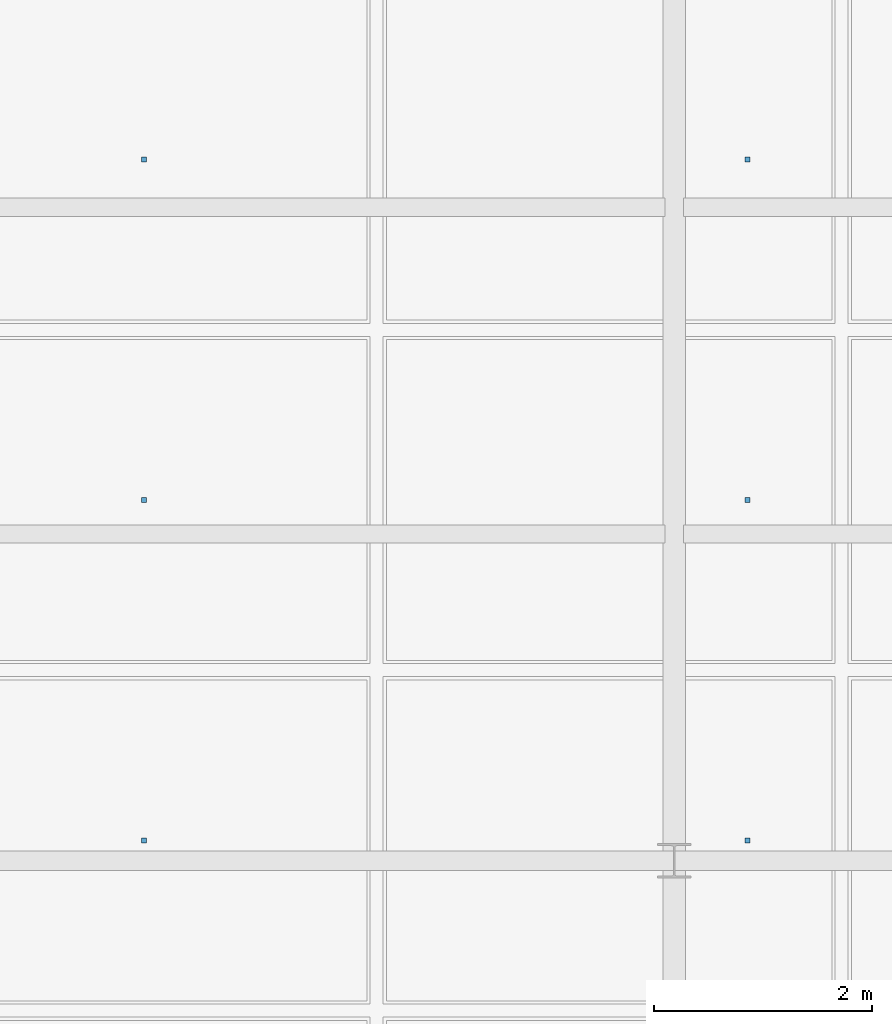
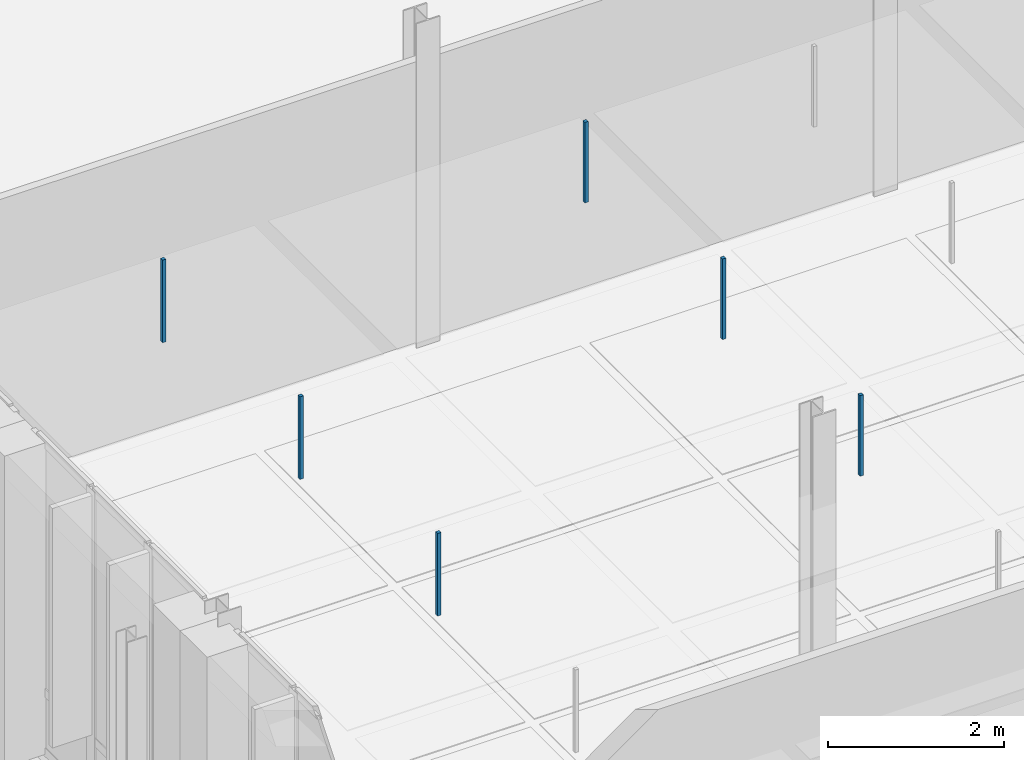
# One storey, part 91 of 130: 6 discrete accessories.
"""IFC4 building model written with IfcOpenShell, lengths in metres."""

import ifcopenshell
import ifcopenshell.guid

model = None  # the IFC model being written
_history = None  # IfcOwnerHistory: only IFC2X3 demands one
_inside = {}  # id of a spatial element -> (the spatial element, [elements in it])
_under = {}  # id of a project, library or spatial element -> (it, [spatial elements below it])
_declared = {}  # id of a project -> (the project, [libraries it declares])
_typed = {}  # id of a type object -> (the type object, [elements of that type])
_made_of = {}  # id of a material, layer set ... -> (it, [elements and type objects made of it])


def new_model(schema):
    """Start an empty IFC model of exactly this schema.

    Asked for "IFC4X3", IfcOpenShell would pick the latest addendum, in which some entities
    have other attributes; the version numbers below select the first issue.
    IFC2X3 requires an IfcOwnerHistory on every rooted entity: one is made here for all.
    """
    global model, _history
    if schema == "IFC4X3":
        model = ifcopenshell.file(schema_version=(4, 3, 0, 0))
    else:
        model = ifcopenshell.file(schema=schema)
    _inside.clear()
    _under.clear()
    _declared.clear()
    _typed.clear()
    _made_of.clear()
    _history = None
    if model.schema == "IFC2X3":
        org = make("IfcOrganization", Name="unknown")
        user = make(
            "IfcPersonAndOrganization",
            ThePerson=make("IfcPerson", FamilyName="unknown"),
            TheOrganization=org,
        )
        app = make(
            "IfcApplication",
            ApplicationDeveloper=org,
            Version="unknown",
            ApplicationFullName="unknown",
            ApplicationIdentifier="unknown",
        )
        _history = make(
            "IfcOwnerHistory",
            OwningUser=user,
            OwningApplication=app,
            ChangeAction="ADDED",
            CreationDate=0,
        )
    return model


def make(cls, **values):
    """One entity of the class cls with the attributes given. An attribute that is None is left unset."""
    return model.create_entity(
        cls, **{name: value for name, value in values.items() if value is not None}
    )


def rooted(cls, **values):
    """An entity with a GlobalId (a new one), such as an element, a storey or a relation."""
    return make(cls, GlobalId=ifcopenshell.guid.new(), OwnerHistory=_history, **values)


def si_unit(unit_type, name, prefix=None):
    """IfcSIUnit, for example si_unit("LENGTHUNIT", "METRE", prefix="MILLI")."""
    return make("IfcSIUnit", UnitType=unit_type, Prefix=prefix, Name=name)


def assignment(units):
    """IfcUnitAssignment: the units of a project."""
    return None if units is None else make("IfcUnitAssignment", Units=units)


def point(xyz):
    """IfcCartesianPoint."""
    return None if xyz is None else make("IfcCartesianPoint", Coordinates=xyz)


def direction(xyz):
    """IfcDirection."""
    return None if xyz is None else make("IfcDirection", DirectionRatios=xyz)


def frame(location, z_axis=None, x_axis=None):
    """IfcAxis2Placement3D, a coordinate frame: its origin and axes. An axis left out is left unset."""
    return make(
        "IfcAxis2Placement3D",
        Location=point(location),
        Axis=direction(z_axis),
        RefDirection=direction(x_axis),
    )


def frame_2d(location, x_axis=None):
    """IfcAxis2Placement2D, a coordinate frame in the plane: its origin and x axis."""
    return make(
        "IfcAxis2Placement2D", Location=point(location), RefDirection=direction(x_axis)
    )


def origin():
    """The frame at (0, 0, 0) with its axes left unset."""
    return frame((0.0, 0.0, 0.0))


def origin_2d():
    """The frame at (0, 0) in the plane with its x axis left unset."""
    return frame_2d((0.0, 0.0))


def place(relative_to, where):
    """IfcLocalPlacement: puts the frame where relative to a parent placement (None: the world)."""
    return make(
        "IfcLocalPlacement", PlacementRelTo=relative_to, RelativePlacement=where
    )


def context(
    kind, dimensions, precision=None, world=None, true_north=None, identifier=None
):
    """IfcGeometricRepresentationContext, for example the 3D "Model" context."""
    return make(
        "IfcGeometricRepresentationContext",
        ContextIdentifier=identifier,
        ContextType=kind,
        CoordinateSpaceDimension=dimensions,
        Precision=precision,
        WorldCoordinateSystem=world,
        TrueNorth=true_north,
    )


def subcontext(parent, identifier, kind, view, scale=None):
    """IfcGeometricRepresentationSubContext, for example "Body" below "Model"."""
    return make(
        "IfcGeometricRepresentationSubContext",
        ContextIdentifier=identifier,
        ContextType=kind,
        ParentContext=parent,
        TargetScale=scale,
        TargetView=view,
    )


def project(units=None, contexts=None):
    """IfcProject with its units and contexts."""
    return rooted(
        "IfcProject",
        Name="project",
        RepresentationContexts=contexts,
        UnitsInContext=assignment(units),
    )


def spatial(cls, under=None, at=None, **own):
    """A site, building, storey or space (cls), placed at a placement, below another one or the project."""
    s = rooted(cls, ObjectPlacement=at, **own)
    if under is not None:
        _under.setdefault(under.id(), (under, []))[1].append(s)
    return s


def profile(cls, at=None, kind="AREA", **sizes):
    """A parametric profile (cls). Its sizes go by their IFC names, for example OverallWidth=200.0."""
    return make(cls, ProfileType=kind, Position=at, **sizes)


def rectangle(**sizes):
    """IfcRectangleProfileDef."""
    return profile("IfcRectangleProfileDef", **sizes)


def extrude(swept, where, along, depth):
    """IfcExtrudedAreaSolid: the profile swept, set in the frame where, extruded along a direction by depth."""
    return make(
        "IfcExtrudedAreaSolid",
        SweptArea=swept,
        Position=where,
        ExtrudedDirection=direction(along),
        Depth=depth,
    )


def shape(context_of_items, identifier, shape_type, items):
    """IfcShapeRepresentation: the items that make up one representation, for example the "Body"."""
    return make(
        "IfcShapeRepresentation",
        ContextOfItems=context_of_items,
        RepresentationIdentifier=identifier,
        RepresentationType=shape_type,
        Items=items,
    )


def material(Name=None, Category=None):
    """IfcMaterial."""
    return make("IfcMaterial", Name=Name, Category=Category)


def made_of(thing, what):
    """Note that an element or type object is made of a material, layer set ...; save() writes the relation."""
    if what is not None:
        _made_of.setdefault(what.id(), (what, []))[1].append(thing)
    return thing


def type_object(cls, material=None, **own):
    """A type object (cls), such as IfcWallType, which elements share."""
    return made_of(rooted(cls, **own), material)


def element(
    cls,
    number,
    at=None,
    inside=None,
    cuts=None,
    type_object=None,
    material=None,
    context=None,
    identifier="Body",
    shape_type=None,
    held_by="IfcProductDefinitionShape",
    body=None,
    shapes=None,
    **own,
):
    """One element of the class cls, such as IfcWall. Its Tag is "e" and its number.

    at: its placement. inside: the storey or other place that contains it. cuts: it is an
    opening in that element (IfcRelVoidsElement). A single representation is given by context,
    identifier, shape_type and body (its items); several are given by shapes. held_by: the class
    of the entity that holds the representations. save() writes the other relations.
    """
    e = rooted(cls, Tag="e%d" % number, ObjectPlacement=at, **own)
    if body is not None:
        shapes = [shape(context, identifier, shape_type, body)]
    if shapes is not None:
        e.Representation = make(held_by, Representations=shapes)
    if inside is not None:
        _inside.setdefault(inside.id(), (inside, []))[1].append(e)
    if cuts is not None:
        rooted(
            "IfcRelVoidsElement", RelatingBuildingElement=cuts, RelatedOpeningElement=e
        )
    if type_object is not None:
        _typed.setdefault(type_object.id(), (type_object, []))[1].append(e)
    return made_of(e, material)


def aggregate(whole, parts):
    """IfcRelAggregates: a whole, such as a stair, and the parts it consists of."""
    return rooted("IfcRelAggregates", RelatingObject=whole, RelatedObjects=parts)


def save(model, path):
    """Write the relations noted so far, then the file.

    IfcRelAggregates (storeys below a building ...), IfcRelContainedInSpatialStructure (elements
    in a storey), IfcRelDefinesByType, IfcRelAssociatesMaterial and IfcRelDeclares: one each for
    every whole, place, type object, material and project.
    """
    for whole, parts in _under.values():
        aggregate(whole, parts)
    for where, things in _inside.values():
        rooted(
            "IfcRelContainedInSpatialStructure",
            RelatedElements=things,
            RelatingStructure=where,
        )
    for kind, things in _typed.values():
        rooted("IfcRelDefinesByType", RelatedObjects=things, RelatingType=kind)
    for what, things in _made_of.values():
        rooted("IfcRelAssociatesMaterial", RelatedObjects=things, RelatingMaterial=what)
    for by, libraries in _declared.values():
        rooted("IfcRelDeclares", RelatingContext=by, RelatedDefinitions=libraries)
    model.write(path)


model = new_model("IFC4")

# Units and contexts
model_context = context("Model", 3, precision=1e-05, world=origin(), true_north=direction((0.0, 1.0)))
body_context = subcontext(model_context, "Body", "Model", "MODEL_VIEW")
ifc_project = project(units=[si_unit("LENGTHUNIT", "METRE"), si_unit("AREAUNIT", "SQUARE_METRE"), si_unit("VOLUMEUNIT", "CUBIC_METRE"), si_unit("PLANEANGLEUNIT", "RADIAN"), si_unit("MASSUNIT", "GRAM", prefix="KILO"), si_unit("THERMODYNAMICTEMPERATUREUNIT", "KELVIN"), si_unit("POWERUNIT", "WATT")], contexts=[model_context])

# Site, building, storey
site_placement = place(None, origin())
site = spatial("IfcSite", under=ifc_project, at=site_placement, CompositionType="ELEMENT")
building_placement = place(site_placement, origin())
building = spatial("IfcBuilding", under=site, at=building_placement, Name="Tallowbark Science Centre", CompositionType="ELEMENT")
storey_placement = place(building_placement, frame((0.0, 0.0, 5.39990234375)))
storey = spatial("IfcBuildingStorey", under=building, at=storey_placement, Name="L01", CompositionType="ELEMENT", Elevation=5.39990234375)

# Discrete accessories
ifc_material = material(Name="Galvanised Steel Grade C350L0 (350 MPa)", Category="steel")
discrete_accessory_type = type_object("IfcDiscreteAccessoryType", Name="ACC-CLG-HNG", PredefinedType="BRACKET", material=ifc_material)
for number, where, z_axis, x_axis, name in (
    (1, (58.134521484375, 90.1875, 3.205078125), (0.0, 0.0, 1.0), (1.0, 0.0, 0.0), "Ceiling Hanger Bracket L01-600"),
    (2, (58.134521484375, 93.3125, 3.205078125), (0.0, 0.0, 1.0), (1.0, 0.0, 0.0), "Ceiling Hanger Bracket L01-601"),
    (3, (58.134521484375, 96.4375, 3.205078125), (0.0, 0.0, 1.0), (1.0, 0.0, 0.0), "Ceiling Hanger Bracket L01-602"),
):
    element("IfcDiscreteAccessory", number, at=place(storey_placement, frame(where, z_axis=z_axis, x_axis=x_axis)), inside=storey, type_object=discrete_accessory_type, Name=name, PredefinedType="BRACKET", context=body_context, shape_type="SweptSolid", body=[
        extrude(rectangle(XDim=0.044921875, YDim=0.044921875, at=origin_2d()), origin(), (0.0, 0.0, 1.0), 1.14794921875),
    ])
for number, where, z_axis, x_axis, name in (
    (4, (63.67431640625, 90.1875, 3.205078125), (0.0, 0.0, 1.0), (1.0, 0.0, 0.0), "Ceiling Hanger Bracket L01-608"),
    (5, (63.67431640625, 93.3125, 3.205078125), (0.0, 0.0, 1.0), (1.0, 0.0, 0.0), "Ceiling Hanger Bracket L01-609"),
    (6, (63.67431640625, 96.4375, 3.205078125), (0.0, 0.0, 1.0), (1.0, 0.0, 0.0), "Ceiling Hanger Bracket L01-610"),
):
    element("IfcDiscreteAccessory", number, at=place(storey_placement, frame(where, z_axis=z_axis, x_axis=x_axis)), inside=storey, type_object=discrete_accessory_type, Name=name, PredefinedType="BRACKET", context=body_context, shape_type="SweptSolid", body=[
        extrude(rectangle(XDim=0.044921875, YDim=0.044921875, at=origin_2d()), origin(), (0.0, 0.0, 1.0), 1.117919921875),
    ])

save(model, "model.ifc")
